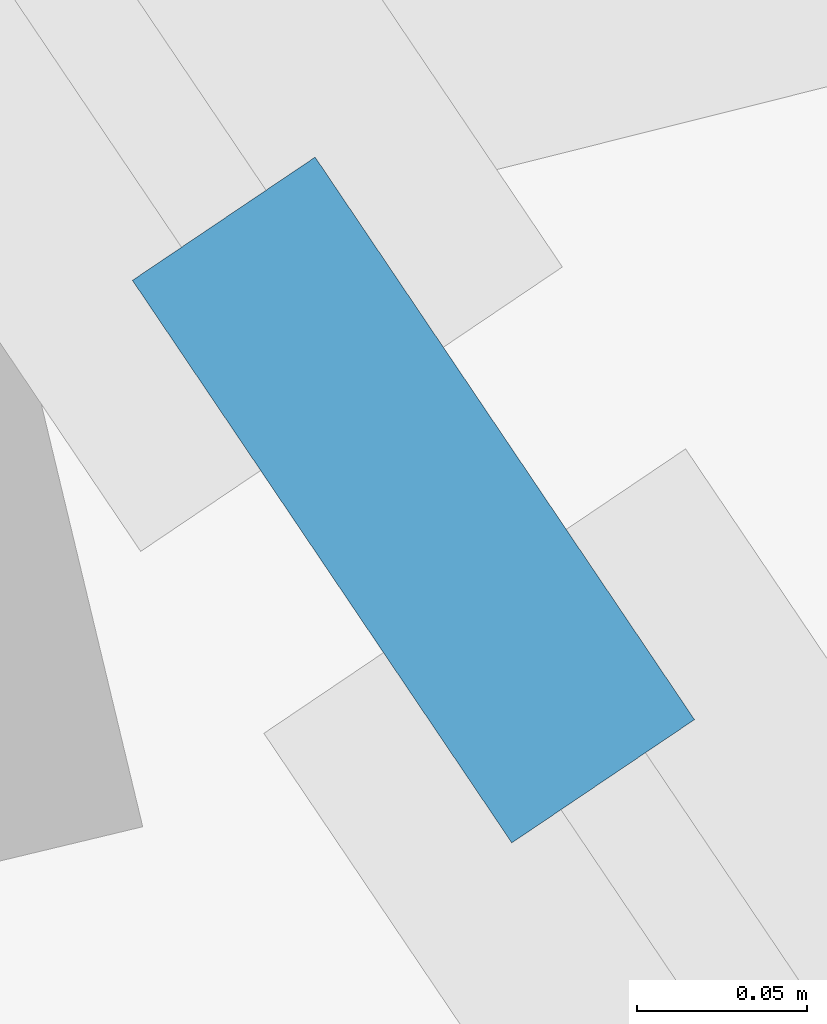
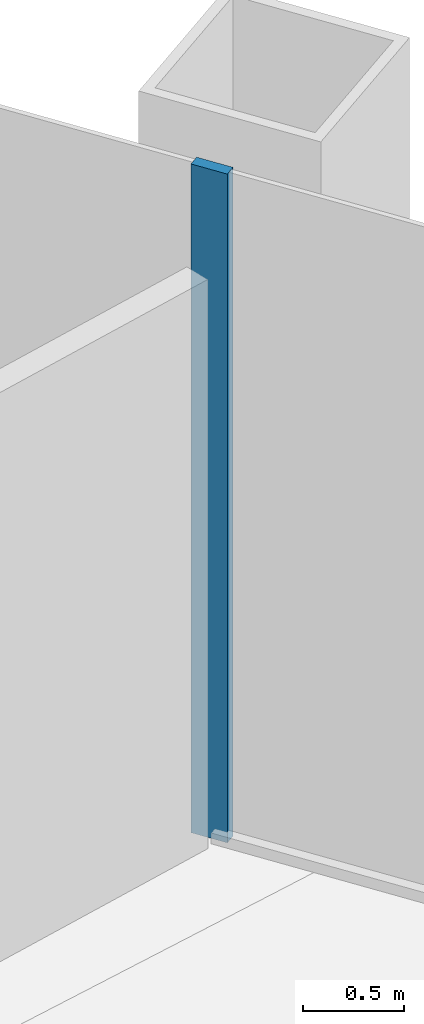
# One storey, part 5 of 14: 1 member, 1 element without a shape of its own.
"""IFC4 building model written with IfcOpenShell, lengths in metres."""

import ifcopenshell
import ifcopenshell.guid

model = None  # the IFC model being written
_history = None  # IfcOwnerHistory: only IFC2X3 demands one
_inside = {}  # id of a spatial element -> (the spatial element, [elements in it])
_under = {}  # id of a project, library or spatial element -> (it, [spatial elements below it])
_declared = {}  # id of a project -> (the project, [libraries it declares])
_typed = {}  # id of a type object -> (the type object, [elements of that type])
_made_of = {}  # id of a material, layer set ... -> (it, [elements and type objects made of it])


def new_model(schema):
    """Start an empty IFC model of exactly this schema.

    Asked for "IFC4X3", IfcOpenShell would pick the latest addendum, in which some entities
    have other attributes; the version numbers below select the first issue.
    IFC2X3 requires an IfcOwnerHistory on every rooted entity: one is made here for all.
    """
    global model, _history
    if schema == "IFC4X3":
        model = ifcopenshell.file(schema_version=(4, 3, 0, 0))
    else:
        model = ifcopenshell.file(schema=schema)
    _inside.clear()
    _under.clear()
    _declared.clear()
    _typed.clear()
    _made_of.clear()
    _history = None
    if model.schema == "IFC2X3":
        org = make("IfcOrganization", Name="unknown")
        user = make(
            "IfcPersonAndOrganization",
            ThePerson=make("IfcPerson", FamilyName="unknown"),
            TheOrganization=org,
        )
        app = make(
            "IfcApplication",
            ApplicationDeveloper=org,
            Version="unknown",
            ApplicationFullName="unknown",
            ApplicationIdentifier="unknown",
        )
        _history = make(
            "IfcOwnerHistory",
            OwningUser=user,
            OwningApplication=app,
            ChangeAction="ADDED",
            CreationDate=0,
        )
    return model


def make(cls, **values):
    """One entity of the class cls with the attributes given. An attribute that is None is left unset."""
    return model.create_entity(
        cls, **{name: value for name, value in values.items() if value is not None}
    )


def rooted(cls, **values):
    """An entity with a GlobalId (a new one), such as an element, a storey or a relation."""
    return make(cls, GlobalId=ifcopenshell.guid.new(), OwnerHistory=_history, **values)


def si_unit(unit_type, name, prefix=None):
    """IfcSIUnit, for example si_unit("LENGTHUNIT", "METRE", prefix="MILLI")."""
    return make("IfcSIUnit", UnitType=unit_type, Prefix=prefix, Name=name)


def assignment(units):
    """IfcUnitAssignment: the units of a project."""
    return None if units is None else make("IfcUnitAssignment", Units=units)


def point(xyz):
    """IfcCartesianPoint."""
    return None if xyz is None else make("IfcCartesianPoint", Coordinates=xyz)


def direction(xyz):
    """IfcDirection."""
    return None if xyz is None else make("IfcDirection", DirectionRatios=xyz)


def frame(location, z_axis=None, x_axis=None):
    """IfcAxis2Placement3D, a coordinate frame: its origin and axes. An axis left out is left unset."""
    return make(
        "IfcAxis2Placement3D",
        Location=point(location),
        Axis=direction(z_axis),
        RefDirection=direction(x_axis),
    )


def frame_2d(location, x_axis=None):
    """IfcAxis2Placement2D, a coordinate frame in the plane: its origin and x axis."""
    return make(
        "IfcAxis2Placement2D", Location=point(location), RefDirection=direction(x_axis)
    )


def origin():
    """The frame at (0, 0, 0) with its axes left unset."""
    return frame((0.0, 0.0, 0.0))


def origin_2d():
    """The frame at (0, 0) in the plane with its x axis left unset."""
    return frame_2d((0.0, 0.0))


def place(relative_to, where):
    """IfcLocalPlacement: puts the frame where relative to a parent placement (None: the world)."""
    return make(
        "IfcLocalPlacement", PlacementRelTo=relative_to, RelativePlacement=where
    )


def context(
    kind, dimensions, precision=None, world=None, true_north=None, identifier=None
):
    """IfcGeometricRepresentationContext, for example the 3D "Model" context."""
    return make(
        "IfcGeometricRepresentationContext",
        ContextIdentifier=identifier,
        ContextType=kind,
        CoordinateSpaceDimension=dimensions,
        Precision=precision,
        WorldCoordinateSystem=world,
        TrueNorth=true_north,
    )


def subcontext(parent, identifier, kind, view, scale=None):
    """IfcGeometricRepresentationSubContext, for example "Body" below "Model"."""
    return make(
        "IfcGeometricRepresentationSubContext",
        ContextIdentifier=identifier,
        ContextType=kind,
        ParentContext=parent,
        TargetScale=scale,
        TargetView=view,
    )


def project(units=None, contexts=None):
    """IfcProject with its units and contexts."""
    return rooted(
        "IfcProject",
        Name="project",
        RepresentationContexts=contexts,
        UnitsInContext=assignment(units),
    )


def spatial(cls, under=None, at=None, **own):
    """A site, building, storey or space (cls), placed at a placement, below another one or the project."""
    s = rooted(cls, ObjectPlacement=at, **own)
    if under is not None:
        _under.setdefault(under.id(), (under, []))[1].append(s)
    return s


def profile(cls, at=None, kind="AREA", **sizes):
    """A parametric profile (cls). Its sizes go by their IFC names, for example OverallWidth=200.0."""
    return make(cls, ProfileType=kind, Position=at, **sizes)


def rectangle(**sizes):
    """IfcRectangleProfileDef."""
    return profile("IfcRectangleProfileDef", **sizes)


def extrude(swept, where, along, depth):
    """IfcExtrudedAreaSolid: the profile swept, set in the frame where, extruded along a direction by depth."""
    return make(
        "IfcExtrudedAreaSolid",
        SweptArea=swept,
        Position=where,
        ExtrudedDirection=direction(along),
        Depth=depth,
    )


def shape(context_of_items, identifier, shape_type, items):
    """IfcShapeRepresentation: the items that make up one representation, for example the "Body"."""
    return make(
        "IfcShapeRepresentation",
        ContextOfItems=context_of_items,
        RepresentationIdentifier=identifier,
        RepresentationType=shape_type,
        Items=items,
    )


def material(Name=None, Category=None):
    """IfcMaterial."""
    return make("IfcMaterial", Name=Name, Category=Category)


def material_profile(
    of_material, cross_section, Name=None, Category=None, Priority=None
):
    """IfcMaterialProfile: a cross section and its material."""
    return make(
        "IfcMaterialProfile",
        Name=Name,
        Material=of_material,
        Profile=cross_section,
        Priority=Priority,
        Category=Category,
    )


def profile_set(profiles, Name=None, composite=None):
    """IfcMaterialProfileSet."""
    return make(
        "IfcMaterialProfileSet",
        Name=Name,
        MaterialProfiles=profiles,
        CompositeProfile=composite,
    )


def made_of(thing, what):
    """Note that an element or type object is made of a material, layer set ...; save() writes the relation."""
    if what is not None:
        _made_of.setdefault(what.id(), (what, []))[1].append(thing)
    return thing


def type_object(cls, material=None, **own):
    """A type object (cls), such as IfcWallType, which elements share."""
    return made_of(rooted(cls, **own), material)


def element(
    cls,
    number,
    at=None,
    inside=None,
    cuts=None,
    type_object=None,
    material=None,
    context=None,
    identifier="Body",
    shape_type=None,
    held_by="IfcProductDefinitionShape",
    body=None,
    shapes=None,
    **own,
):
    """One element of the class cls, such as IfcWall. Its Tag is "e" and its number.

    at: its placement. inside: the storey or other place that contains it. cuts: it is an
    opening in that element (IfcRelVoidsElement). A single representation is given by context,
    identifier, shape_type and body (its items); several are given by shapes. held_by: the class
    of the entity that holds the representations. save() writes the other relations.
    """
    e = rooted(cls, Tag="e%d" % number, ObjectPlacement=at, **own)
    if body is not None:
        shapes = [shape(context, identifier, shape_type, body)]
    if shapes is not None:
        e.Representation = make(held_by, Representations=shapes)
    if inside is not None:
        _inside.setdefault(inside.id(), (inside, []))[1].append(e)
    if cuts is not None:
        rooted(
            "IfcRelVoidsElement", RelatingBuildingElement=cuts, RelatedOpeningElement=e
        )
    if type_object is not None:
        _typed.setdefault(type_object.id(), (type_object, []))[1].append(e)
    return made_of(e, material)


def aggregate(whole, parts):
    """IfcRelAggregates: a whole, such as a stair, and the parts it consists of."""
    return rooted("IfcRelAggregates", RelatingObject=whole, RelatedObjects=parts)


def save(model, path):
    """Write the relations noted so far, then the file.

    IfcRelAggregates (storeys below a building ...), IfcRelContainedInSpatialStructure (elements
    in a storey), IfcRelDefinesByType, IfcRelAssociatesMaterial and IfcRelDeclares: one each for
    every whole, place, type object, material and project.
    """
    for whole, parts in _under.values():
        aggregate(whole, parts)
    for where, things in _inside.values():
        rooted(
            "IfcRelContainedInSpatialStructure",
            RelatedElements=things,
            RelatingStructure=where,
        )
    for kind, things in _typed.values():
        rooted("IfcRelDefinesByType", RelatedObjects=things, RelatingType=kind)
    for what, things in _made_of.values():
        rooted("IfcRelAssociatesMaterial", RelatedObjects=things, RelatingMaterial=what)
    for by, libraries in _declared.values():
        rooted("IfcRelDeclares", RelatingContext=by, RelatedDefinitions=libraries)
    model.write(path)


model = new_model("IFC4")

# Units and contexts
model_context = context("Model", 3, precision=1e-05, world=origin(), true_north=direction((0.0, 1.0)))
body_context = subcontext(model_context, "Body", "Model", "MODEL_VIEW")
ifc_project = project(units=[si_unit("LENGTHUNIT", "METRE"), si_unit("AREAUNIT", "SQUARE_METRE"), si_unit("VOLUMEUNIT", "CUBIC_METRE"), si_unit("PLANEANGLEUNIT", "RADIAN"), si_unit("MASSUNIT", "GRAM", prefix="KILO")], contexts=[model_context])

# Site, building, storey
site_placement = place(None, origin())
site = spatial("IfcSite", under=ifc_project, at=site_placement, CompositionType="ELEMENT")
building_placement = place(site_placement, origin())
building = spatial("IfcBuilding", under=site, at=building_placement, Name="Qingtian Harvest Tower", CompositionType="ELEMENT")
storey_placement = place(building_placement, frame((0.0, 0.0, 243.39990234375)))
storey = spatial("IfcBuildingStorey", under=building, at=storey_placement, Name="L53", CompositionType="ELEMENT", Elevation=243.39990234375)

# Curtain wall, member
ifc_material_1 = material(Name="Bronze-anodised aluminium curtain wall", Category="aluminium")
curtain_wall_type = type_object("IfcCurtainWallType", Name="Curtain wall CW4 office", PredefinedType="USERDEFINED", material=ifc_material_1)
curtain_wall_placement = place(storey_placement, origin())
curtain_wall = element("IfcCurtainWall", 1, at=curtain_wall_placement, inside=storey, type_object=curtain_wall_type, Name="Curtain wall CW4 L53 NE0-5", ObjectType="RECESSED CURTAIN WALL", PredefinedType="USERDEFINED")
ifc_material_2 = material(Name="Bronze-anodised aluminium mullion", Category="aluminium")
ifc_material_profile = material_profile(ifc_material_2, rectangle(XDim=0.06494140625, YDim=0.199951171875, at=origin_2d()), Name="AL 65x200")
ifc_profile_set = profile_set([ifc_material_profile], Name="Bronze-anodised aluminium mullion")
member_type = type_object("IfcMemberType", Name="Mullion CWM 65x200", PredefinedType="MULLION", material=ifc_profile_set)
member_placement = place(storey_placement, frame((23.150390625, 5.55712890625, 0.0), z_axis=(0.0, 0.0, 1.0), x_axis=(0.829037572555, 0.559192903471, 0.0)))
member = element("IfcMember", 2, at=member_placement, type_object=member_type, Name="CW4 mullion 6", PredefinedType="MULLION", context=body_context, shape_type="SweptSolid", body=[
    extrude(rectangle(XDim=0.06494140625, YDim=0.199951171875, at=origin_2d()), origin(), (0.0, 0.0, 1.0), 4.030029296875),
])
aggregate(curtain_wall, [member])

save(model, "model.ifc")
